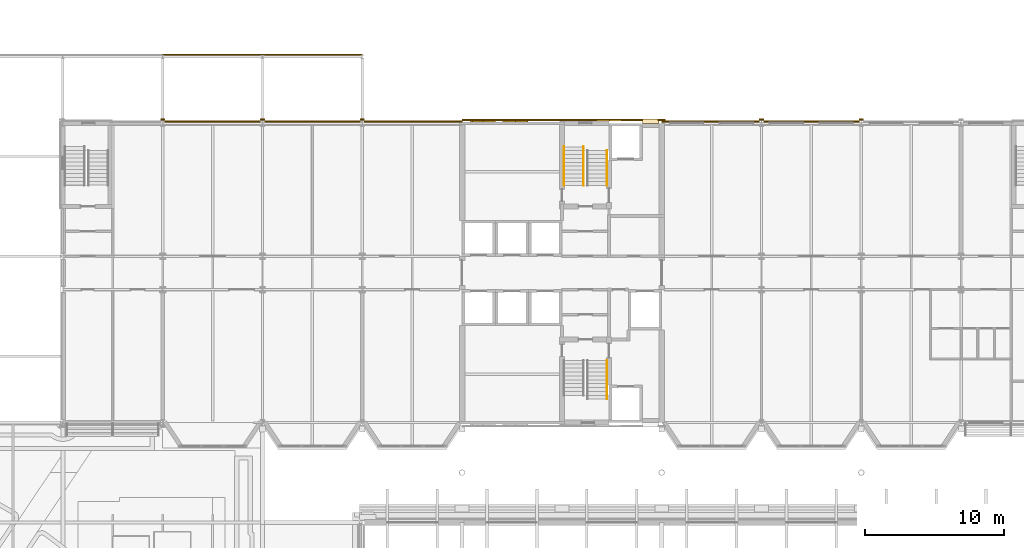
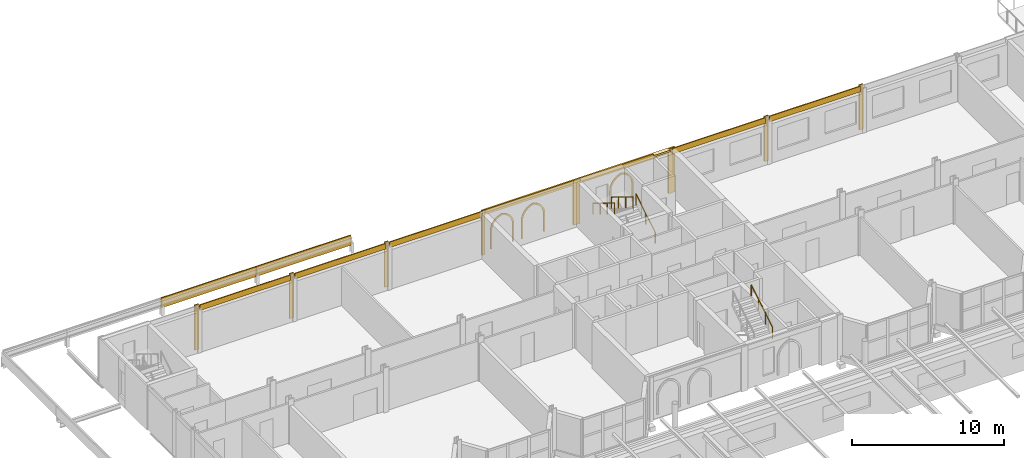
# One storey, part 102 of 110: 21 coverings, 4 railings.
"""IFC4 building model written with IfcOpenShell, lengths in metres."""

import ifcopenshell
import ifcopenshell.guid

model = None  # the IFC model being written
_history = None  # IfcOwnerHistory: only IFC2X3 demands one
_inside = {}  # id of a spatial element -> (the spatial element, [elements in it])
_under = {}  # id of a project, library or spatial element -> (it, [spatial elements below it])
_declared = {}  # id of a project -> (the project, [libraries it declares])
_typed = {}  # id of a type object -> (the type object, [elements of that type])
_made_of = {}  # id of a material, layer set ... -> (it, [elements and type objects made of it])


def new_model(schema):
    """Start an empty IFC model of exactly this schema.

    Asked for "IFC4X3", IfcOpenShell would pick the latest addendum, in which some entities
    have other attributes; the version numbers below select the first issue.
    IFC2X3 requires an IfcOwnerHistory on every rooted entity: one is made here for all.
    """
    global model, _history
    if schema == "IFC4X3":
        model = ifcopenshell.file(schema_version=(4, 3, 0, 0))
    else:
        model = ifcopenshell.file(schema=schema)
    _inside.clear()
    _under.clear()
    _declared.clear()
    _typed.clear()
    _made_of.clear()
    _history = None
    if model.schema == "IFC2X3":
        org = make("IfcOrganization", Name="unknown")
        user = make(
            "IfcPersonAndOrganization",
            ThePerson=make("IfcPerson", FamilyName="unknown"),
            TheOrganization=org,
        )
        app = make(
            "IfcApplication",
            ApplicationDeveloper=org,
            Version="unknown",
            ApplicationFullName="unknown",
            ApplicationIdentifier="unknown",
        )
        _history = make(
            "IfcOwnerHistory",
            OwningUser=user,
            OwningApplication=app,
            ChangeAction="ADDED",
            CreationDate=0,
        )
    return model


def make(cls, **values):
    """One entity of the class cls with the attributes given. An attribute that is None is left unset."""
    return model.create_entity(
        cls, **{name: value for name, value in values.items() if value is not None}
    )


def rooted(cls, **values):
    """An entity with a GlobalId (a new one), such as an element, a storey or a relation."""
    return make(cls, GlobalId=ifcopenshell.guid.new(), OwnerHistory=_history, **values)


def si_unit(unit_type, name, prefix=None):
    """IfcSIUnit, for example si_unit("LENGTHUNIT", "METRE", prefix="MILLI")."""
    return make("IfcSIUnit", UnitType=unit_type, Prefix=prefix, Name=name)


def assignment(units):
    """IfcUnitAssignment: the units of a project."""
    return None if units is None else make("IfcUnitAssignment", Units=units)


def point(xyz):
    """IfcCartesianPoint."""
    return None if xyz is None else make("IfcCartesianPoint", Coordinates=xyz)


def direction(xyz):
    """IfcDirection."""
    return None if xyz is None else make("IfcDirection", DirectionRatios=xyz)


def frame(location, z_axis=None, x_axis=None):
    """IfcAxis2Placement3D, a coordinate frame: its origin and axes. An axis left out is left unset."""
    return make(
        "IfcAxis2Placement3D",
        Location=point(location),
        Axis=direction(z_axis),
        RefDirection=direction(x_axis),
    )


def frame_2d(location, x_axis=None):
    """IfcAxis2Placement2D, a coordinate frame in the plane: its origin and x axis."""
    return make(
        "IfcAxis2Placement2D", Location=point(location), RefDirection=direction(x_axis)
    )


def origin():
    """The frame at (0, 0, 0) with its axes left unset."""
    return frame((0.0, 0.0, 0.0))


def origin_2d():
    """The frame at (0, 0) in the plane with its x axis left unset."""
    return frame_2d((0.0, 0.0))


def place(relative_to, where):
    """IfcLocalPlacement: puts the frame where relative to a parent placement (None: the world)."""
    return make(
        "IfcLocalPlacement", PlacementRelTo=relative_to, RelativePlacement=where
    )


def context(
    kind, dimensions, precision=None, world=None, true_north=None, identifier=None
):
    """IfcGeometricRepresentationContext, for example the 3D "Model" context."""
    return make(
        "IfcGeometricRepresentationContext",
        ContextIdentifier=identifier,
        ContextType=kind,
        CoordinateSpaceDimension=dimensions,
        Precision=precision,
        WorldCoordinateSystem=world,
        TrueNorth=true_north,
    )


def subcontext(parent, identifier, kind, view, scale=None):
    """IfcGeometricRepresentationSubContext, for example "Body" below "Model"."""
    return make(
        "IfcGeometricRepresentationSubContext",
        ContextIdentifier=identifier,
        ContextType=kind,
        ParentContext=parent,
        TargetScale=scale,
        TargetView=view,
    )


def project(units=None, contexts=None):
    """IfcProject with its units and contexts."""
    return rooted(
        "IfcProject",
        Name="project",
        RepresentationContexts=contexts,
        UnitsInContext=assignment(units),
    )


def spatial(cls, under=None, at=None, **own):
    """A site, building, storey or space (cls), placed at a placement, below another one or the project."""
    s = rooted(cls, ObjectPlacement=at, **own)
    if under is not None:
        _under.setdefault(under.id(), (under, []))[1].append(s)
    return s


def polyline(points):
    """IfcPolyline through the points."""
    return make("IfcPolyline", Points=[point(p) for p in points])


def profile(cls, at=None, kind="AREA", **sizes):
    """A parametric profile (cls). Its sizes go by their IFC names, for example OverallWidth=200.0."""
    return make(cls, ProfileType=kind, Position=at, **sizes)


def rectangle(**sizes):
    """IfcRectangleProfileDef."""
    return profile("IfcRectangleProfileDef", **sizes)


def circle(**sizes):
    """IfcCircleProfileDef."""
    return profile("IfcCircleProfileDef", **sizes)


def outline(outer, holes=None, kind="AREA"):
    """IfcArbitraryClosedProfileDef: a profile drawn as a closed curve; with holes, ...WithVoids."""
    if holes is None:
        return make("IfcArbitraryClosedProfileDef", ProfileType=kind, OuterCurve=outer)
    return make(
        "IfcArbitraryProfileDefWithVoids",
        ProfileType=kind,
        OuterCurve=outer,
        InnerCurves=holes,
    )


def extrude(swept, where, along, depth):
    """IfcExtrudedAreaSolid: the profile swept, set in the frame where, extruded along a direction by depth."""
    return make(
        "IfcExtrudedAreaSolid",
        SweptArea=swept,
        Position=where,
        ExtrudedDirection=direction(along),
        Depth=depth,
    )


def shape(context_of_items, identifier, shape_type, items):
    """IfcShapeRepresentation: the items that make up one representation, for example the "Body"."""
    return make(
        "IfcShapeRepresentation",
        ContextOfItems=context_of_items,
        RepresentationIdentifier=identifier,
        RepresentationType=shape_type,
        Items=items,
    )


def material(Name=None, Category=None):
    """IfcMaterial."""
    return make("IfcMaterial", Name=Name, Category=Category)


def layer(
    of_material, thickness, ventilated=None, Name=None, Category=None, Priority=None
):
    """IfcMaterialLayer: one layer of a wall or slab, of a material (None: an air gap)."""
    return make(
        "IfcMaterialLayer",
        Material=of_material,
        LayerThickness=thickness,
        IsVentilated=ventilated,
        Name=Name,
        Category=Category,
        Priority=Priority,
    )


def layer_set(layers, Name=None):
    """IfcMaterialLayerSet."""
    return make("IfcMaterialLayerSet", MaterialLayers=layers, LayerSetName=Name)


def made_of(thing, what):
    """Note that an element or type object is made of a material, layer set ...; save() writes the relation."""
    if what is not None:
        _made_of.setdefault(what.id(), (what, []))[1].append(thing)
    return thing


def type_object(cls, material=None, **own):
    """A type object (cls), such as IfcWallType, which elements share."""
    return made_of(rooted(cls, **own), material)


def element(
    cls,
    number,
    at=None,
    inside=None,
    cuts=None,
    type_object=None,
    material=None,
    context=None,
    identifier="Body",
    shape_type=None,
    held_by="IfcProductDefinitionShape",
    body=None,
    shapes=None,
    **own,
):
    """One element of the class cls, such as IfcWall. Its Tag is "e" and its number.

    at: its placement. inside: the storey or other place that contains it. cuts: it is an
    opening in that element (IfcRelVoidsElement). A single representation is given by context,
    identifier, shape_type and body (its items); several are given by shapes. held_by: the class
    of the entity that holds the representations. save() writes the other relations.
    """
    e = rooted(cls, Tag="e%d" % number, ObjectPlacement=at, **own)
    if body is not None:
        shapes = [shape(context, identifier, shape_type, body)]
    if shapes is not None:
        e.Representation = make(held_by, Representations=shapes)
    if inside is not None:
        _inside.setdefault(inside.id(), (inside, []))[1].append(e)
    if cuts is not None:
        rooted(
            "IfcRelVoidsElement", RelatingBuildingElement=cuts, RelatedOpeningElement=e
        )
    if type_object is not None:
        _typed.setdefault(type_object.id(), (type_object, []))[1].append(e)
    return made_of(e, material)


def aggregate(whole, parts):
    """IfcRelAggregates: a whole, such as a stair, and the parts it consists of."""
    return rooted("IfcRelAggregates", RelatingObject=whole, RelatedObjects=parts)


def save(model, path):
    """Write the relations noted so far, then the file.

    IfcRelAggregates (storeys below a building ...), IfcRelContainedInSpatialStructure (elements
    in a storey), IfcRelDefinesByType, IfcRelAssociatesMaterial and IfcRelDeclares: one each for
    every whole, place, type object, material and project.
    """
    for whole, parts in _under.values():
        aggregate(whole, parts)
    for where, things in _inside.values():
        rooted(
            "IfcRelContainedInSpatialStructure",
            RelatedElements=things,
            RelatingStructure=where,
        )
    for kind, things in _typed.values():
        rooted("IfcRelDefinesByType", RelatedObjects=things, RelatingType=kind)
    for what, things in _made_of.values():
        rooted("IfcRelAssociatesMaterial", RelatedObjects=things, RelatingMaterial=what)
    for by, libraries in _declared.values():
        rooted("IfcRelDeclares", RelatingContext=by, RelatedDefinitions=libraries)
    model.write(path)


model = new_model("IFC4")

# Units and contexts
model_context = context("Model", 3, precision=1e-05, world=origin(), true_north=direction((0.0, 1.0)))
body_context = subcontext(model_context, "Body", "Model", "MODEL_VIEW")
ifc_project = project(units=[si_unit("LENGTHUNIT", "METRE"), si_unit("AREAUNIT", "SQUARE_METRE"), si_unit("VOLUMEUNIT", "CUBIC_METRE"), si_unit("PLANEANGLEUNIT", "RADIAN"), si_unit("MASSUNIT", "GRAM", prefix="KILO")], contexts=[model_context])

# Site, building, storey
site_placement = place(None, origin())
site = spatial("IfcSite", under=ifc_project, at=site_placement, CompositionType="ELEMENT")
building_placement = place(site_placement, origin())
building = spatial("IfcBuilding", under=site, at=building_placement, Name="Kupolbacken Congress Centre", CompositionType="ELEMENT")
storey_placement = place(building_placement, frame((0.0, 0.0, 18.0)))
storey = spatial("IfcBuildingStorey", under=building, at=storey_placement, Name="L05", CompositionType="ELEMENT", Elevation=18.0)

# Coverings
ifc_material_1 = material(Name="Limestone cladding", Category="masonry")
ifc_layer_1 = layer(ifc_material_1, 0.1201171875)
ifc_layer_set_1 = layer_set([ifc_layer_1], Name="Limestone cladding")
covering_type_1 = type_object("IfcCoveringType", Name="CV1 limestone cladding band 120", PredefinedType="CLADDING", material=ifc_layer_set_1)
covering_1_placement = place(storey_placement, frame((118.800048828125, 144.12744140625, 3.159912109375), z_axis=(0.0, 0.0, 1.0), x_axis=(-1.0, 0.0, 0.0)))
element("IfcCovering", 1, at=covering_1_placement, inside=storey, type_object=covering_type_1, Name="E/T/N/L05/067/band", PredefinedType="CLADDING", context=body_context, shape_type="SweptSolid", body=[
    extrude(rectangle(XDim=6.89306640625, YDim=0.0849609375, at=origin_2d()), origin(), (0.0, 0.0, 1.0), 0.43994140625),
])
covering_2_placement = place(storey_placement, frame((111.523193359375, 144.12744140625, 3.159912109375), z_axis=(0.0, 0.0, 1.0), x_axis=(-1.0, 0.0, 0.0)))
element("IfcCovering", 2, at=covering_2_placement, inside=storey, type_object=covering_type_1, Name="E/T/N/L05/068/band", PredefinedType="CLADDING", context=body_context, shape_type="SweptSolid", body=[
    extrude(rectangle(XDim=7.04638671875, YDim=0.0849609375, at=origin_2d()), origin(), (0.0, 0.0, 1.0), 0.43994140625),
])
covering_3_placement = place(storey_placement, frame((107.199951171875, 144.155029296875, 3.4599609375), z_axis=(0.0, 0.0, 1.0), x_axis=(-1.0, 0.0, 0.0)))
element("IfcCovering", 3, at=covering_3_placement, inside=storey, type_object=covering_type_1, Name="E/T/N/L05/069/band", PredefinedType="CLADDING", context=body_context, shape_type="SweptSolid", body=[
    extrude(rectangle(XDim=1.199951171875, YDim=0.31005859375, at=origin_2d()), origin(), (0.0, 0.0, 1.0), 0.139892578125),
])
covering_4_placement = place(storey_placement, frame((90.07666015625, 144.12744140625, 3.159912109375), z_axis=(0.0, 0.0, 1.0), x_axis=(-1.0, 0.0, 0.0)))
element("IfcCovering", 4, at=covering_4_placement, inside=storey, type_object=covering_type_1, Name="E/T/N/L05/070/band", PredefinedType="CLADDING", context=body_context, shape_type="SweptSolid", body=[
    extrude(rectangle(XDim=7.04638671875, YDim=0.0849609375, at=origin_2d()), origin(), (0.0, 0.0, 1.0), 0.43994140625),
])
for number, where, z_axis, x_axis, name in (
    (5, (82.800048828125, 144.12744140625, 3.159912109375), (0.0, 0.0, 1.0), (-1.0, 0.0, 0.0), "E/T/N/L05/071/band"),
    (6, (75.60009765625, 144.12744140625, 3.159912109375), (0.0, 0.0, 1.0), (-1.0, 0.0, 0.0), "E/T/N/L05/072/band"),
):
    element("IfcCovering", number, at=place(storey_placement, frame(where, z_axis=z_axis, x_axis=x_axis)), inside=storey, type_object=covering_type_1, Name=name, PredefinedType="CLADDING", context=body_context, shape_type="SweptSolid", body=[
        extrude(rectangle(XDim=6.89306640625, YDim=0.0849609375, at=origin_2d()), origin(), (0.0, 0.0, 1.0), 0.43994140625),
    ])
for number, where, z_axis, x_axis, name in (
    (7, (75.60009765625, 148.9326171875, 0.5), (0.0, 0.0, 1.0), (1.0, 0.0, 0.0), "E/T/portal/N/fascia72"),
    (8, (82.800048828125, 148.9326171875, 0.5), (0.0, 0.0, 1.0), (1.0, 0.0, 0.0), "E/T/portal/N/fascia79.2"),
):
    element("IfcCovering", number, at=place(storey_placement, frame(where, z_axis=z_axis, x_axis=x_axis)), inside=storey, type_object=covering_type_1, Name=name, PredefinedType="CLADDING", context=body_context, shape_type="SweptSolid", body=[
        extrude(rectangle(XDim=7.199951171875, YDim=0.0849609375, at=origin_2d()), origin(), (0.0, 0.0, 1.0), 0.800048828125),
    ])
ifc_material_2 = material(Name="Brick cladding", Category="masonry")
ifc_layer_2 = layer(ifc_material_2, 0.10791015625)
ifc_layer_set_2 = layer_set([ifc_layer_2], Name="Brick cladding")
covering_type_2 = type_object("IfcCoveringType", Name="CV2 brick cladding band 108", PredefinedType="CLADDING", material=ifc_layer_set_2)
for number, where, z_axis, x_axis, name in (
    (9, (72.0, 144.26611328125, 0.0), (0.0, 0.0, 1.0), (1.0, 0.0, 0.0), "E/T/pilaster/L05/C-T-11W/N"),
    (10, (79.199951171875, 144.26611328125, 0.0), (0.0, 0.0, 1.0), (1.0, 0.0, 0.0), "E/T/pilaster/L05/C-T-12W/N"),
    (11, (86.39990234375, 144.26611328125, 0.0), (0.0, 0.0, 1.0), (1.0, 0.0, 0.0), "E/T/pilaster/L05/C-T-13W/N"),
    (12, (115.199951171875, 144.26611328125, 0.0), (0.0, 0.0, 1.0), (1.0, 0.0, 0.0), "E/T/pilaster/L05/C-T-17W/N"),
    (13, (122.39990234375, 144.26611328125, 0.0), (0.0, 0.0, 1.0), (1.0, 0.0, 0.0), "E/T/pilaster/L05/C-T-18W/N"),
):
    element("IfcCovering", number, at=place(storey_placement, frame(where, z_axis=z_axis, x_axis=x_axis)), inside=storey, type_object=covering_type_2, Name=name, PredefinedType="CLADDING", context=body_context, shape_type="SweptSolid", body=[
        extrude(rectangle(XDim=0.306884765625, YDim=0.10009765625, at=origin_2d()), origin(), (0.0, 0.0, 1.0), 3.60009765625),
    ])
covering_5_placement = place(storey_placement, frame((93.72509765625, 144.235107421875, 0.0), z_axis=(0.0, 0.0, 1.0), x_axis=(1.0, 0.0, 0.0)))
element("IfcCovering", 14, at=covering_5_placement, inside=storey, type_object=covering_type_2, Name="E/T/stripe/N/L05/pil93.6", PredefinedType="CLADDING", context=body_context, shape_type="SweptSolid", body=[
    extrude(rectangle(XDim=0.25, YDim=0.1201171875, at=origin_2d()), origin(), (0.0, 0.0, 1.0), 3.60009765625),
])
for number, where, z_axis, x_axis, name in (
    (15, (100.800048828125, 144.235107421875, 0.0), (0.0, 0.0, 1.0), (1.0, 0.0, 0.0), "E/T/stripe/N/L05/pil100.8"),
    (16, (108.0, 144.235107421875, 0.0), (0.0, 0.0, 1.0), (1.0, 0.0, 0.0), "E/T/stripe/N/L05/pil108"),
):
    element("IfcCovering", number, at=place(storey_placement, frame(where, z_axis=z_axis, x_axis=x_axis)), inside=storey, type_object=covering_type_2, Name=name, PredefinedType="CLADDING", context=body_context, shape_type="SweptSolid", body=[
        extrude(rectangle(XDim=0.5, YDim=0.1201171875, at=origin_2d()), origin(), (0.0, 0.0, 1.0), 3.60009765625),
    ])
covering_6_placement = place(storey_placement, frame((97.199951171875, 144.235107421875, 3.199951171875), z_axis=(0.0, 0.0, 1.0), x_axis=(1.0, 0.0, 0.0)))
element("IfcCovering", 17, at=covering_6_placement, inside=storey, type_object=covering_type_2, Name="E/T/stripe/N/L05/belt93.6", PredefinedType="CLADDING", context=body_context, shape_type="SweptSolid", body=[
    extrude(rectangle(XDim=6.699951171875, YDim=0.1201171875, at=origin_2d()), origin(), (0.0, 0.0, 1.0), 0.39990234375),
])
covering_7_placement = place(storey_placement, frame((94.199951171875, 144.10009765625, 0.35009765625), z_axis=(0.0, 1.0, 0.0), x_axis=(-1.0, 0.0, 0.0)))
element("IfcCovering", 18, at=covering_7_placement, inside=storey, type_object=covering_type_2, Name="E/T/stripe/N/L05/niche93.6/1", PredefinedType="CLADDING", context=body_context, shape_type="SweptSolid", body=[
    extrude(outline(polyline([(0.0, 0.0), (0.0, 1.43408203125), (-0.00537109375, 1.54443359375), (-0.021484375, 1.654052734375), (-0.048095703125, 1.761474609375), (-0.084716796875, 1.86572265625), (-0.131591796875, 1.966064453125), (-0.187744140625, 2.061279296875), (-0.2529296875, 2.15087890625), (-0.32666015625, 2.2333984375), (-0.40771484375, 2.30859375), (-0.495849609375, 2.37548828125), (-0.590087890625, 2.433837890625), (-0.689453125, 2.482421875), (-0.793212890625, 2.521240234375), (-0.89990234375, 2.550048828125), (-1.0068359375, 2.521240234375), (-1.110595703125, 2.482421875), (-1.2099609375, 2.433837890625), (-1.30419921875, 2.37548828125), (-1.39208984375, 2.30859375), (-1.473388671875, 2.2333984375), (-1.547119140625, 2.15087890625), (-1.6123046875, 2.061279296875), (-1.66845703125, 1.966064453125), (-1.715087890625, 1.86572265625), (-1.751953125, 1.761474609375), (-1.778564453125, 1.654052734375), (-1.794677734375, 1.54443359375), (-1.800048828125, 1.43408203125), (-1.800048828125, 0.0), (-1.679931640625, 0.0), (-1.679931640625, 1.43408203125), (-1.67529296875, 1.531005859375), (-1.66162109375, 1.627197265625), (-1.638671875, 1.7216796875), (-1.60693359375, 1.8134765625), (-1.566650390625, 1.90185546875), (-1.51806640625, 1.986083984375), (-1.461669921875, 2.065185546875), (-1.398193359375, 2.138916015625), (-1.327880859375, 2.205810546875), (-1.25146484375, 2.26611328125), (-1.169677734375, 2.318603515625), (-1.08349609375, 2.36328125), (-0.9931640625, 2.3994140625), (-0.89990234375, 2.427001953125), (-0.806884765625, 2.3994140625), (-0.716552734375, 2.36328125), (-0.63037109375, 2.318603515625), (-0.548583984375, 2.26611328125), (-0.47216796875, 2.205810546875), (-0.40185546875, 2.138916015625), (-0.33837890625, 2.065185546875), (-0.281982421875, 1.986083984375), (-0.2333984375, 1.90185546875), (-0.193115234375, 1.8134765625), (-0.161376953125, 1.7216796875), (-0.138427734375, 1.627197265625), (-0.12451171875, 1.531005859375), (-0.1201171875, 1.43408203125), (-0.1201171875, 0.0), (0.0, 0.0)])), origin(), (0.0, 0.0, 1.0), 0.080078125),
])
covering_8_placement = place(storey_placement, frame((96.550048828125, 144.10009765625, 0.35009765625), z_axis=(0.0, 1.0, 0.0), x_axis=(-1.0, 0.0, 0.0)))
element("IfcCovering", 19, at=covering_8_placement, inside=storey, type_object=covering_type_2, Name="E/T/stripe/N/L05/niche93.6/2", PredefinedType="CLADDING", context=body_context, shape_type="SweptSolid", body=[
    extrude(outline(polyline([(0.0, 0.0), (0.0, 1.43408203125), (-0.00537109375, 1.54443359375), (-0.021484375, 1.654052734375), (-0.048095703125, 1.761474609375), (-0.084716796875, 1.86572265625), (-0.131591796875, 1.966064453125), (-0.187744140625, 2.061279296875), (-0.2529296875, 2.15087890625), (-0.32666015625, 2.2333984375), (-0.40771484375, 2.30859375), (-0.495849609375, 2.37548828125), (-0.590087890625, 2.433837890625), (-0.689453125, 2.482421875), (-0.793212890625, 2.521240234375), (-0.89990234375, 2.550048828125), (-1.0068359375, 2.521240234375), (-1.110595703125, 2.482421875), (-1.2099609375, 2.433837890625), (-1.30419921875, 2.37548828125), (-1.39208984375, 2.30859375), (-1.473388671875, 2.2333984375), (-1.547119140625, 2.15087890625), (-1.6123046875, 2.061279296875), (-1.66845703125, 1.966064453125), (-1.715087890625, 1.86572265625), (-1.751953125, 1.761474609375), (-1.778564453125, 1.654052734375), (-1.794677734375, 1.54443359375), (-1.800048828125, 1.43408203125), (-1.800048828125, 0.0), (-1.679931640625, 0.0), (-1.679931640625, 1.43408203125), (-1.67529296875, 1.531005859375), (-1.66162109375, 1.627197265625), (-1.638671875, 1.7216796875), (-1.60693359375, 1.8134765625), (-1.566650390625, 1.90185546875), (-1.51806640625, 1.986083984375), (-1.461669921875, 2.065185546875), (-1.398193359375, 2.138916015625), (-1.327880859375, 2.205810546875), (-1.25146484375, 2.26611328125), (-1.169677734375, 2.318603515625), (-1.08349609375, 2.36328125), (-0.9931640625, 2.3994140625), (-0.89990234375, 2.427001953125), (-0.806884765625, 2.3994140625), (-0.716552734375, 2.36328125), (-0.63037109375, 2.318603515625), (-0.548583984375, 2.26611328125), (-0.47216796875, 2.205810546875), (-0.40185546875, 2.138916015625), (-0.33837890625, 2.065185546875), (-0.281982421875, 1.986083984375), (-0.2333984375, 1.90185546875), (-0.193115234375, 1.8134765625), (-0.161376953125, 1.7216796875), (-0.138427734375, 1.627197265625), (-0.12451171875, 1.531005859375), (-0.1201171875, 1.43408203125), (-0.1201171875, 0.0), (0.0, 0.0)])), origin(), (0.0, 0.0, 1.0), 0.080078125),
])
covering_9_placement = place(storey_placement, frame((104.39990234375, 144.235107421875, 3.199951171875), z_axis=(0.0, 0.0, 1.0), x_axis=(1.0, 0.0, 0.0)))
element("IfcCovering", 20, at=covering_9_placement, inside=storey, type_object=covering_type_2, Name="E/T/stripe/N/L05/belt100.8", PredefinedType="CLADDING", context=body_context, shape_type="SweptSolid", body=[
    extrude(rectangle(XDim=6.699951171875, YDim=0.1201171875, at=origin_2d()), origin(), (0.0, 0.0, 1.0), 0.39990234375),
])
covering_10_placement = place(storey_placement, frame((103.300048828125, 144.175048828125, 0.35009765625), z_axis=(0.0, 1.0, 0.0), x_axis=(-1.0, 0.0, 0.0)))
element("IfcCovering", 21, at=covering_10_placement, inside=storey, type_object=covering_type_2, Name="E/T/stripe/N/L05/niche100.8/1", PredefinedType="CLADDING", context=body_context, shape_type="SweptSolid", body=[
    extrude(outline(polyline([(0.0, 0.0), (0.0, 1.43408203125), (-0.00537109375, 1.54443359375), (-0.021484375, 1.654052734375), (-0.048095703125, 1.761474609375), (-0.084716796875, 1.86572265625), (-0.131591796875, 1.966064453125), (-0.187744140625, 2.061279296875), (-0.2529296875, 2.15087890625), (-0.32666015625, 2.2333984375), (-0.40771484375, 2.30859375), (-0.495849609375, 2.37548828125), (-0.590087890625, 2.433837890625), (-0.689453125, 2.482421875), (-0.793212890625, 2.521240234375), (-0.89990234375, 2.550048828125), (-1.0068359375, 2.521240234375), (-1.110595703125, 2.482421875), (-1.2099609375, 2.433837890625), (-1.30419921875, 2.37548828125), (-1.39208984375, 2.30859375), (-1.473388671875, 2.2333984375), (-1.547119140625, 2.15087890625), (-1.6123046875, 2.061279296875), (-1.66845703125, 1.966064453125), (-1.715087890625, 1.86572265625), (-1.751953125, 1.761474609375), (-1.778564453125, 1.654052734375), (-1.794677734375, 1.54443359375), (-1.800048828125, 1.43408203125), (-1.800048828125, 0.0), (-1.679931640625, 0.0), (-1.679931640625, 1.43408203125), (-1.67529296875, 1.531005859375), (-1.66162109375, 1.627197265625), (-1.638671875, 1.7216796875), (-1.60693359375, 1.8134765625), (-1.566650390625, 1.90185546875), (-1.51806640625, 1.986083984375), (-1.461669921875, 2.065185546875), (-1.398193359375, 2.138916015625), (-1.327880859375, 2.205810546875), (-1.25146484375, 2.26611328125), (-1.169677734375, 2.318603515625), (-1.08349609375, 2.36328125), (-0.9931640625, 2.3994140625), (-0.89990234375, 2.427001953125), (-0.806884765625, 2.3994140625), (-0.716552734375, 2.36328125), (-0.63037109375, 2.318603515625), (-0.548583984375, 2.26611328125), (-0.47216796875, 2.205810546875), (-0.40185546875, 2.138916015625), (-0.33837890625, 2.065185546875), (-0.281982421875, 1.986083984375), (-0.2333984375, 1.90185546875), (-0.193115234375, 1.8134765625), (-0.161376953125, 1.7216796875), (-0.138427734375, 1.627197265625), (-0.12451171875, 1.531005859375), (-0.1201171875, 1.43408203125), (-0.1201171875, 0.0), (0.0, 0.0)])), origin(), (0.0, 0.0, 1.0), 0.080078125),
])

# Railings
ifc_material_3 = material(Name="Steel S235", Category="steel")
railing_type = type_object("IfcRailingType", Name="RL3 handrail wall-mounted 900", PredefinedType="HANDRAIL", material=ifc_material_3)
railing_1_placement = place(storey_placement, frame((104.050048828125, 124.094970703125, 1.8857421875)))
element("IfcRailing", 22, at=railing_1_placement, inside=storey, type_object=railing_type, Name="C/stair/TS1/L05/HR2R", PredefinedType="HANDRAIL", context=body_context, shape_type="SweptSolid", body=[
    extrude(circle(Radius=0.02392578125, at=origin_2d()), frame((0.0, 0.0, 0.8759765625), z_axis=(0.0, 0.852845897599, 0.522162690116), x_axis=(-1.0, 0.0, 0.0)), (0.0, 0.0, 1.0), 3.283203125),
    extrude(circle(Radius=0.02099609375, at=origin_2d()), origin(), (0.0, 0.0, 1.0), 0.851806640625),
    extrude(circle(Radius=0.02099609375, at=origin_2d()), frame((0.0, 0.933349609375, 0.571533203125)), (0.0, 0.0, 1.0), 0.851806640625),
    extrude(circle(Radius=0.02099609375, at=origin_2d()), frame((0.0, 1.86669921875, 1.142822265625)), (0.0, 0.0, 1.0), 0.851806640625),
    extrude(circle(Radius=0.02099609375, at=origin_2d()), frame((0.0, 2.800048828125, 1.71435546875)), (0.0, 0.0, 1.0), 0.851806640625),
])
railing_2_placement = place(storey_placement, frame((104.050048828125, 139.5048828125, 0.17138671875)))
element("IfcRailing", 23, at=railing_2_placement, inside=storey, type_object=railing_type, Name="C/stair/TS2/L05/HR1R", PredefinedType="HANDRAIL", context=body_context, shape_type="SweptSolid", body=[
    extrude(circle(Radius=0.02392578125, at=origin_2d()), frame((0.0, 0.0, 0.8759765625), z_axis=(0.0, 0.852836285881, 0.522178388565), x_axis=(-1.0, 0.0, 0.0)), (0.0, 0.0, 1.0), 2.954833984375),
    extrude(circle(Radius=0.02099609375, at=origin_2d()), origin(), (0.0, 0.0, 1.0), 0.851806640625),
    extrude(circle(Radius=0.02099609375, at=origin_2d()), frame((0.0, 1.260009765625, 0.771484375)), (0.0, 0.0, 1.0), 0.851806640625),
    extrude(circle(Radius=0.02099609375, at=origin_2d()), frame((0.0, 2.52001953125, 1.54296875)), (0.0, 0.0, 1.0), 0.851806640625),
])
for number, where, name in (
    (24, (102.35009765625, 142.304931640625, 1.8857421875), "C/stair/TS2/L05/HR2L"),
    (25, (100.949951171875, 142.304931640625, 1.8857421875), "C/stair/TS2/L05/HR2R"),
):
    element("IfcRailing", number, at=place(storey_placement, frame(where)), inside=storey, type_object=railing_type, Name=name, PredefinedType="HANDRAIL", context=body_context, shape_type="SweptSolid", body=[
        extrude(circle(Radius=0.02392578125, at=origin_2d()), frame((0.0, 0.0, 0.8759765625), z_axis=(0.0, -0.852845897599, 0.522162690116), x_axis=(1.0, 0.0, 0.0)), (0.0, 0.0, 1.0), 3.283203125),
        extrude(circle(Radius=0.02099609375, at=origin_2d()), origin(), (0.0, 0.0, 1.0), 0.851806640625),
        extrude(circle(Radius=0.02099609375, at=origin_2d()), frame((0.0, -0.933349609375, 0.571533203125)), (0.0, 0.0, 1.0), 0.851806640625),
        extrude(circle(Radius=0.02099609375, at=origin_2d()), frame((0.0, -1.86669921875, 1.142822265625)), (0.0, 0.0, 1.0), 0.851806640625),
        extrude(circle(Radius=0.02099609375, at=origin_2d()), frame((0.0, -2.800048828125, 1.71435546875)), (0.0, 0.0, 1.0), 0.851806640625),
    ])

save(model, "model.ifc")
